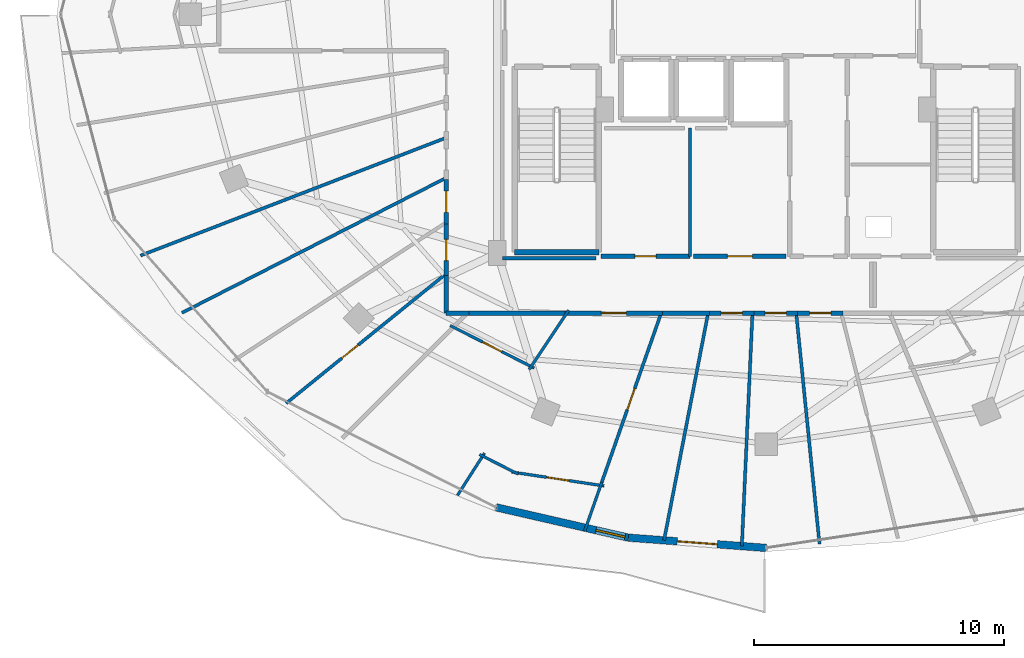
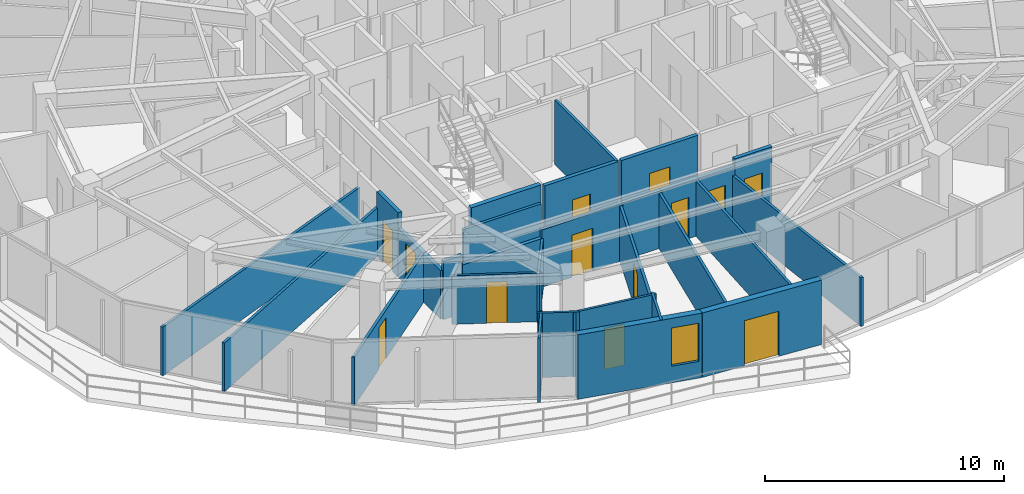
# One storey, part 24 of 33: 30 walls, 13 doors, 1 window, 14 openings.
"""IFC4 building model written with IfcOpenShell, lengths in metres."""

from ifc_helpers import new_model, si_unit, direction, frame, frame_2d, origin, place, context, subcontext, project, spatial, rectangle, extrude, material, layer, layer_set, type_object, element, fill, save


model = new_model("IFC4")

# Units and contexts
model_context = context("Model", 3, precision=1e-05, world=origin(), true_north=direction((0.0, 1.0)))
body_context = subcontext(model_context, "Body", "Model", "MODEL_VIEW")
ifc_project = project(units=[si_unit("LENGTHUNIT", "METRE"), si_unit("AREAUNIT", "SQUARE_METRE"), si_unit("VOLUMEUNIT", "CUBIC_METRE"), si_unit("PLANEANGLEUNIT", "RADIAN"), si_unit("MASSUNIT", "GRAM", prefix="KILO")], contexts=[model_context])

# Site, building, storey
site_placement = place(None, origin())
site = spatial("IfcSite", under=ifc_project, at=site_placement, CompositionType="ELEMENT")
building_placement = place(site_placement, origin())
building = spatial("IfcBuilding", under=site, at=building_placement, Name="Vorneva Point Tower", CompositionType="ELEMENT")
storey_placement = place(building_placement, frame((0.0, 0.0, 217.85009765625)))
storey = spatial("IfcBuildingStorey", under=building, at=storey_placement, Name="L59", CompositionType="ELEMENT", Elevation=217.85009765625)

# Wall, opening, window
ifc_material_1 = material(Name="Precast concrete B50 (C40/50)", Category="concrete")
ifc_layer_1 = layer(ifc_material_1, 0.300048828125)
ifc_layer_set_1 = layer_set([ifc_layer_1], Name="Precast concrete B50 (C40/50)")
wall_type_1 = type_object("IfcWallType", Name="WL-EXT-300", PredefinedType="STANDARD", material=ifc_layer_set_1)
wall_1_placement = place(storey_placement, frame((27.19677734375, 6.275146484375, 0.0), z_axis=(0.0, 0.0, 1.0), x_axis=(0.974684194578, -0.223586047954, 0.0)))
wall_1 = element("IfcWall", 1, at=wall_1_placement, inside=storey, type_object=wall_type_1, Name="L59 Pale-Metal Facade Spandrel Wall 12.1", PredefinedType="STANDARD", context=body_context, shape_type="SweptSolid", body=[
    extrude(rectangle(XDim=5.433349609375, YDim=0.300048828125, at=frame_2d((2.716796875, 0.0))), origin(), (0.0, 0.0, 1.0), 3.289794921875),
])
opening_1_placement = place(wall_1_placement, frame((4.093505859375, 0.0, 0.85009765625)))
opening_1 = element("IfcOpeningElement", 2, at=opening_1_placement, cuts=wall_1, Name="Opening W-04", PredefinedType="OPENING", context=body_context, shape_type="SweptSolid", body=[
    extrude(rectangle(XDim=1.199951171875, YDim=1.949951171875, at=frame_2d((0.60009765625, 0.97509765625))), frame((0.0, 0.1650390625, 0.0), z_axis=(0.0, -1.0, 0.0), x_axis=(1.0, 0.0, 0.0)), (0.0, 0.0, 1.0), 0.329833984375),
])
ifc_material_2 = material(Name="Double low-e laminated glass IGU", Category="glass")
window_type = type_object("IfcWindowType", Name="WN-RES-1200", PartitioningType="SINGLE_PANEL", PredefinedType="WINDOW", material=ifc_material_2)
window_placement = place(opening_1_placement, origin())
window = element("IfcWindow", 3, at=window_placement, inside=storey, type_object=window_type, Name="L59 Dwelling Vision Window 05", OverallHeight=1.949951171875, OverallWidth=1.199951171875, PartitioningType="SINGLE_PANEL", PredefinedType="WINDOW", context=body_context, shape_type="SweptSolid", body=[
    extrude(rectangle(XDim=1.199951171875, YDim=1.949951171875, at=frame_2d((0.60009765625, 0.97509765625))), frame((0.0, 0.030029296875, 0.0), z_axis=(0.0, -1.0, 0.0), x_axis=(1.0, 0.0, 0.0)), (0.0, 0.0, 1.0), 0.06005859375),
])
fill(opening_1, window)

# Wall, opening, door
wall_2_placement = place(storey_placement, frame((32.49267578125, 5.060302734375, 0.0), z_axis=(0.0, 0.0, 1.0), x_axis=(0.997234968529, -0.074312970214, 0.0)))
wall_2 = element("IfcWall", 4, at=wall_2_placement, inside=storey, type_object=wall_type_1, Name="L59 Pale-Metal Facade Spandrel Wall 12.2", PredefinedType="STANDARD", context=body_context, shape_type="SweptSolid", body=[
    extrude(rectangle(XDim=5.522705078125, YDim=0.300048828125, at=frame_2d((2.76123046875, 0.0))), origin(), (0.0, 0.0, 1.0), 3.289794921875),
])
opening_2_placement = place(wall_2_placement, frame((1.961181640625, 0.0, 0.0)))
opening_2 = element("IfcOpeningElement", 5, at=opening_2_placement, cuts=wall_2, Name="Opening BD-01", PredefinedType="OPENING", context=body_context, shape_type="SweptSolid", body=[
    extrude(rectangle(XDim=1.60009765625, YDim=2.300048828125, at=frame_2d((0.800048828125, 1.14990234375))), frame((0.0, 0.1650390625, 0.0), z_axis=(0.0, -1.0, 0.0), x_axis=(1.0, 0.0, 0.0)), (0.0, 0.0, 1.0), 0.329833984375),
])
ifc_material_3 = material(Name="Pale anodised aluminium", Category="aluminium")
door_type_1 = type_object("IfcDoorType", Name="DR-BAL-1600", OperationType="SLIDING_TO_LEFT", PredefinedType="DOOR", material=ifc_material_3)
door_1_placement = place(opening_2_placement, origin())
door_1 = element("IfcDoor", 6, at=door_1_placement, inside=storey, type_object=door_type_1, Name="L59 Balcony Terrace Access Door 12", OperationType="SLIDING_TO_LEFT", OverallHeight=2.300048828125, OverallWidth=1.60009765625, PredefinedType="DOOR", context=body_context, shape_type="SweptSolid", body=[
    extrude(rectangle(XDim=1.60009765625, YDim=2.300048828125, at=frame_2d((0.800048828125, 1.14990234375))), frame((0.0, 0.02490234375, 0.0), z_axis=(0.0, -1.0, 0.0), x_axis=(1.0, 0.0, 0.0)), (0.0, 0.0, 1.0), 0.050048828125),
])
fill(opening_2, door_1)

# Wall
ifc_material_4 = material(Name="Fire-rated acoustic gypsum stud partition", Category="gypsum")
ifc_layer_2 = layer(ifc_material_4, 0.110107421875)
ifc_layer_set_2 = layer_set([ifc_layer_2], Name="Fire-rated acoustic gypsum stud partition")
wall_type_2 = type_object("IfcWallType", Name="WL-PART-110", PredefinedType="PARTITIONING", material=ifc_layer_set_2)
wall_3_placement = place(storey_placement, frame((30.103759765625, 14.16650390625, 0.0), z_axis=(0.0, 0.0, 1.0), x_axis=(-0.555055621343, -0.831813234576, 0.0)))
element("IfcWall", 7, at=wall_3_placement, inside=storey, type_object=wall_type_2, Name="L59 Interior Partition 139", PredefinedType="PARTITIONING", context=body_context, shape_type="SweptSolid", body=[
    extrude(rectangle(XDim=2.852783203125, YDim=0.110107421875, at=frame_2d((1.42626953125, 0.0))), origin(), (0.0, 0.0, 1.0), 2.48193359375),
])

# Wall, opening, door
wall_4_placement = place(storey_placement, frame((28.722900390625, 11.8466796875, 0.0), z_axis=(0.0, 0.0, 1.0), x_axis=(-0.892449406128, 0.451147489743, 0.0)))
wall_4 = element("IfcWall", 8, at=wall_4_placement, inside=storey, type_object=wall_type_2, Name="L59 Interior Partition 140", PredefinedType="PARTITIONING", context=body_context, shape_type="SweptSolid", body=[
    extrude(rectangle(XDim=3.76904296875, YDim=0.110107421875, at=frame_2d((1.884521484375, 0.0))), origin(), (0.0, 0.0, 1.0), 2.48193359375),
])
opening_3_placement = place(wall_4_placement, frame((1.459716796875, 0.0, 0.0)))
opening_3 = element("IfcOpeningElement", 9, at=opening_3_placement, cuts=wall_4, Name="Opening ID-02", PredefinedType="OPENING", context=body_context, shape_type="SweptSolid", body=[
    extrude(rectangle(XDim=0.85009765625, YDim=2.10009765625, at=frame_2d((0.425048828125, 1.050048828125))), frame((0.0, 0.06982421875, 0.0), z_axis=(0.0, -1.0, 0.0), x_axis=(1.0, 0.0, 0.0)), (0.0, 0.0, 1.0), 0.139892578125),
])
ifc_material_5 = material(Name="Engineered oak fire-rated door leaf", Category="wood")
door_type_2 = type_object("IfcDoorType", Name="DR-BATH-850", OperationType="NOTDEFINED", PredefinedType="DOOR", material=ifc_material_5)
door_2_placement = place(opening_3_placement, origin())
door_2 = element("IfcDoor", 10, at=door_2_placement, inside=storey, type_object=door_type_2, Name="L59 Door Living and Dining Room L59-04 / Bathroom L59-04", OperationType="SINGLE_SWING_RIGHT", OverallHeight=2.10009765625, OverallWidth=0.85009765625, PredefinedType="DOOR", context=body_context, shape_type="SweptSolid", body=[
    extrude(rectangle(XDim=0.85009765625, YDim=2.10009765625, at=frame_2d((0.425048828125, 1.050048828125))), frame((0.0, 0.02490234375, 0.0), z_axis=(0.0, -1.0, 0.0), x_axis=(1.0, 0.0, 0.0)), (0.0, 0.0, 1.0), 0.050048828125),
])
fill(opening_3, door_2)

# Wall
wall_5_placement = place(storey_placement, frame((26.531982421875, 8.38720703125, 0.0), z_axis=(0.0, 0.0, 1.0), x_axis=(0.892649776719, -0.450750902521, 0.0)))
element("IfcWall", 11, at=wall_5_placement, inside=storey, type_object=wall_type_2, Name="L59 Interior Partition 141", PredefinedType="PARTITIONING", context=body_context, shape_type="SweptSolid", body=[
    extrude(rectangle(XDim=1.737548828125, YDim=0.110107421875, at=frame_2d((0.86865234375, 0.0))), origin(), (0.0, 0.0, 1.0), 3.289794921875),
])

# Wall, opening, door
wall_6_placement = place(storey_placement, frame((27.819580078125, 7.687744140625, 0.0), z_axis=(0.0, 0.0, 1.0), x_axis=(0.988870202363, -0.148780788002, 0.0)))
wall_6 = element("IfcWall", 12, at=wall_6_placement, inside=storey, type_object=wall_type_2, Name="L59 Interior Partition 142", PredefinedType="PARTITIONING", context=body_context, shape_type="SweptSolid", body=[
    extrude(rectangle(XDim=3.741455078125, YDim=0.110107421875, at=frame_2d((1.87060546875, 0.0))), origin(), (0.0, 0.0, 1.0), 3.289794921875),
])
opening_4_placement = place(wall_6_placement, frame((1.420654296875, 0.0, 0.0)))
opening_4 = element("IfcOpeningElement", 13, at=opening_4_placement, cuts=wall_6, Name="Opening ID-01", PredefinedType="OPENING", context=body_context, shape_type="SweptSolid", body=[
    extrude(rectangle(XDim=0.89990234375, YDim=2.10009765625, at=frame_2d((0.449951171875, 1.050048828125))), frame((0.0, 0.06982421875, 0.0), z_axis=(0.0, -1.0, 0.0), x_axis=(1.0, 0.0, 0.0)), (0.0, 0.0, 1.0), 0.139892578125),
])
door_type_3 = type_object("IfcDoorType", Name="DR-ROOM-900", OperationType="NOTDEFINED", PredefinedType="DOOR", material=ifc_material_5)
door_3_placement = place(opening_4_placement, origin())
door_3 = element("IfcDoor", 14, at=door_3_placement, inside=storey, type_object=door_type_3, Name="L59 Door Living and Dining Room L59-04 / Kitchen L59-04", OperationType="SINGLE_SWING_LEFT", OverallHeight=2.10009765625, OverallWidth=0.89990234375, PredefinedType="DOOR", context=body_context, shape_type="SweptSolid", body=[
    extrude(rectangle(XDim=0.89990234375, YDim=2.10009765625, at=frame_2d((0.449951171875, 1.050048828125))), frame((0.0, 0.02490234375, 0.0), z_axis=(0.0, -1.0, 0.0), x_axis=(1.0, 0.0, 0.0)), (0.0, 0.0, 1.0), 0.050048828125),
])
fill(opening_4, door_3)

# Walls
wall_7_placement = place(storey_placement, frame((25.6494140625, 6.753173828125, 0.0), z_axis=(0.0, 0.0, 1.0), x_axis=(0.539927041948, 0.841711820859, 0.0)))
element("IfcWall", 15, at=wall_7_placement, inside=storey, type_object=wall_type_2, Name="L59 Interior Partition 143", PredefinedType="PARTITIONING", context=body_context, shape_type="SweptSolid", body=[
    extrude(rectangle(XDim=2.00634765625, YDim=0.110107421875, at=frame_2d((1.003173828125, 0.0))), origin(), (0.0, 0.0, 1.0), 3.289794921875),
])
wall_8_placement = place(storey_placement, frame((30.737548828125, 5.32080078125, 0.0), z_axis=(0.0, 0.0, 1.0), x_axis=(0.33153115085, 0.943444272872, 0.0)))
element("IfcWall", 16, at=wall_8_placement, inside=storey, type_object=wall_type_2, Name="L59 Interior Partition 145", PredefinedType="PARTITIONING", context=body_context, shape_type="SweptSolid", body=[
    extrude(rectangle(XDim=2.0810546875, YDim=0.110107421875, at=frame_2d((1.04052734375, 0.0))), origin(), (0.0, 0.0, 1.0), 3.289794921875),
])
ifc_layer_3 = layer(ifc_material_4, 0.125)
ifc_layer_set_3 = layer_set([ifc_layer_3], Name="Fire-rated acoustic gypsum stud partition")
wall_type_3 = type_object("IfcWallType", Name="WL-PART-125", PredefinedType="PARTITIONING", material=ifc_layer_set_3)
wall_9_placement = place(storey_placement, frame((34.949951171875, 16.320068359375, 0.0), z_axis=(0.0, 0.0, 1.0), x_axis=(0.0, 1.0, 0.0)))
element("IfcWall", 17, at=wall_9_placement, inside=storey, type_object=wall_type_3, Name="L59 Interior Partition 031", PredefinedType="PARTITIONING", context=body_context, shape_type="SweptSolid", body=[
    extrude(rectangle(XDim=5.1298828125, YDim=0.125, at=frame_2d((2.56494140625, 0.0))), origin(), (0.0, 0.0, 1.0), 3.289794921875),
])
wall_10_placement = place(storey_placement, frame((12.968017578125, 16.347900390625, 0.0), z_axis=(0.0, 0.0, 1.0), x_axis=(0.933027024267, 0.35980629787, 0.0)))
element("IfcWall", 18, at=wall_10_placement, inside=storey, type_object=wall_type_3, Name="L59 Interior Partition 134", PredefinedType="PARTITIONING", context=body_context, shape_type="SweptSolid", body=[
    extrude(rectangle(XDim=13.10986328125, YDim=0.125, at=frame_2d((6.554931640625, 0.0))), origin(), (0.0, 0.0, 1.0), 2.48193359375),
])
wall_11_placement = place(storey_placement, frame((14.623046875, 14.055908203125, 0.0), z_axis=(0.0, 0.0, 1.0), x_axis=(0.890500200784, 0.454982848472, 0.0)))
element("IfcWall", 19, at=wall_11_placement, inside=storey, type_object=wall_type_3, Name="L59 Interior Partition 135", PredefinedType="PARTITIONING", context=body_context, shape_type="SweptSolid", body=[
    extrude(rectangle(XDim=11.87744140625, YDim=0.125, at=frame_2d((5.938720703125, 0.0))), origin(), (0.0, 0.0, 1.0), 2.48193359375),
])

# Wall, opening, door
wall_12_placement = place(storey_placement, frame((18.7958984375, 10.43701171875, 0.0), z_axis=(0.0, 0.0, 1.0), x_axis=(0.776906100203, 0.629616479666, 0.0)))
wall_12 = element("IfcWall", 20, at=wall_12_placement, inside=storey, type_object=wall_type_3, Name="L59 Interior Partition 137", PredefinedType="PARTITIONING", context=body_context, shape_type="SweptSolid", body=[
    extrude(rectangle(XDim=8.242919921875, YDim=0.125, at=frame_2d((4.12158203125, 0.0))), origin(), (0.0, 0.0, 1.0), 2.48193359375),
])
opening_5_placement = place(wall_12_placement, frame((2.8564453125, 0.0, 0.0)))
opening_5 = element("IfcOpeningElement", 21, at=opening_5_placement, cuts=wall_12, Name="Opening ID-02", PredefinedType="OPENING", context=body_context, shape_type="SweptSolid", body=[
    extrude(rectangle(XDim=0.85009765625, YDim=2.10009765625, at=frame_2d((0.425048828125, 1.050048828125))), frame((0.0, 0.077392578125, 0.0), z_axis=(0.0, -1.0, 0.0), x_axis=(1.0, 0.0, 0.0)), (0.0, 0.0, 1.0), 0.15478515625),
])
door_4_placement = place(opening_5_placement, origin())
door_4 = element("IfcDoor", 22, at=door_4_placement, inside=storey, type_object=door_type_2, Name="L59 Access Door Bedroom L59-03.6", OperationType="SINGLE_SWING_LEFT", OverallHeight=2.10009765625, OverallWidth=0.85009765625, PredefinedType="DOOR", context=body_context, shape_type="SweptSolid", body=[
    extrude(rectangle(XDim=0.85009765625, YDim=2.10009765625, at=frame_2d((0.425048828125, 1.050048828125))), frame((0.0, 0.02490234375, 0.0), z_axis=(0.0, -1.0, 0.0), x_axis=(1.0, 0.0, 0.0)), (0.0, 0.0, 1.0), 0.050048828125),
])
fill(opening_5, door_4)

wall_13_placement = place(storey_placement, frame((31.381103515625, 7.152099609375, 0.0), z_axis=(0.0, 0.0, 1.0), x_axis=(0.331275500224, 0.943534070901, 0.0)))
wall_13 = element("IfcWall", 23, at=wall_13_placement, inside=storey, type_object=wall_type_3, Name="L59 Interior Partition 144", PredefinedType="PARTITIONING", context=body_context, shape_type="SweptSolid", body=[
    extrude(rectangle(XDim=7.310791015625, YDim=0.125, at=frame_2d((3.6552734375, 0.0))), origin(), (0.0, 0.0, 1.0), 2.823974609375),
])
opening_6_placement = place(wall_13_placement, frame((3.205322265625, 0.0, 0.0)))
opening_6 = element("IfcOpeningElement", 24, at=opening_6_placement, cuts=wall_13, Name="Opening ID-01", PredefinedType="OPENING", context=body_context, shape_type="SweptSolid", body=[
    extrude(rectangle(XDim=0.89990234375, YDim=2.10009765625, at=frame_2d((0.449951171875, 1.050048828125))), frame((0.0, 0.077392578125, 0.0), z_axis=(0.0, -1.0, 0.0), x_axis=(1.0, 0.0, 0.0)), (0.0, 0.0, 1.0), 0.15478515625),
])
door_5_placement = place(opening_6_placement, origin())
door_5 = element("IfcDoor", 25, at=door_5_placement, inside=storey, type_object=door_type_3, Name="L59 Door Living and Dining Room L59-04 / Master Bedroom L59-04.1", OperationType="SINGLE_SWING_RIGHT", OverallHeight=2.10009765625, OverallWidth=0.89990234375, PredefinedType="DOOR", context=body_context, shape_type="SweptSolid", body=[
    extrude(rectangle(XDim=0.89990234375, YDim=2.10009765625, at=frame_2d((0.449951171875, 1.050048828125))), frame((0.0, 0.02490234375, 0.0), z_axis=(0.0, -1.0, 0.0), x_axis=(1.0, 0.0, 0.0)), (0.0, 0.0, 1.0), 0.050048828125),
])
fill(opening_6, door_5)

# Walls
wall_14_placement = place(storey_placement, frame((33.9169921875, 4.955078125, 0.0), z_axis=(0.0, 0.0, 1.0), x_axis=(0.190396351082, 0.981707303372, 0.0)))
element("IfcWall", 26, at=wall_14_placement, inside=storey, type_object=wall_type_3, Name="L59 Interior Partition 146", PredefinedType="PARTITIONING", context=body_context, shape_type="SweptSolid", body=[
    extrude(rectangle(XDim=9.264404296875, YDim=0.125, at=frame_2d((4.63232421875, 0.0))), origin(), (0.0, 0.0, 1.0), 2.823974609375),
])
wall_15_placement = place(storey_placement, frame((37.030029296875, 4.721923828125, 0.0), z_axis=(0.0, 0.0, 1.0), x_axis=(0.045519142468, 0.998963466634, 0.0)))
element("IfcWall", 27, at=wall_15_placement, inside=storey, type_object=wall_type_3, Name="L59 Interior Partition 147", PredefinedType="PARTITIONING", context=body_context, shape_type="SweptSolid", body=[
    extrude(rectangle(XDim=9.337890625, YDim=0.125, at=frame_2d((4.6689453125, 0.0))), origin(), (0.0, 0.0, 1.0), 2.823974609375),
])
wall_16_placement = place(storey_placement, frame((40.136962890625, 4.81005859375, 0.0), z_axis=(0.0, 0.0, 1.0), x_axis=(-0.100344404998, 0.994952762892, 0.0)))
element("IfcWall", 28, at=wall_16_placement, inside=storey, type_object=wall_type_3, Name="L59 Interior Partition 148", PredefinedType="PARTITIONING", context=body_context, shape_type="SweptSolid", body=[
    extrude(rectangle(XDim=9.286865234375, YDim=0.125, at=frame_2d((4.6435546875, 0.0))), origin(), (0.0, 0.0, 1.0), 2.48193359375),
])
ifc_layer_4 = layer(ifc_material_4, 0.139892578125)
ifc_layer_set_4 = layer_set([ifc_layer_4], Name="Fire-rated acoustic gypsum stud partition")
wall_type_4 = type_object("IfcWallType", Name="WL-PART-140", PredefinedType="PARTITIONING", material=ifc_layer_set_4)
wall_17_placement = place(storey_placement, frame((27.449951171875, 16.239990234375, 0.0), z_axis=(0.0, 0.0, 1.0), x_axis=(1.0, 0.0, 0.0)))
element("IfcWall", 29, at=wall_17_placement, inside=storey, type_object=wall_type_4, Name="L59 Interior Closure Partition 180", PredefinedType="PARTITIONING", context=body_context, shape_type="SweptSolid", body=[
    extrude(rectangle(XDim=3.7451171875, YDim=0.139892578125, at=frame_2d((1.87255859375, 0.0))), origin(), (0.0, 0.0, 1.0), 2.48193359375),
])

# Wall, opening, door
ifc_material_6 = material(Name="Autoclaved aerated concrete blockwork", Category="masonry")
ifc_layer_5 = layer(ifc_material_6, 0.179931640625)
ifc_layer_set_5 = layer_set([ifc_layer_5], Name="Autoclaved aerated concrete blockwork")
wall_type_5 = type_object("IfcWallType", Name="WL-PART-180", PredefinedType="PARTITIONING", material=ifc_layer_set_5)
wall_18_placement = place(storey_placement, frame((31.39990234375, 16.320068359375, 0.0), z_axis=(0.0, 0.0, 1.0), x_axis=(1.0, 0.0, 0.0)))
wall_18 = element("IfcWall", 30, at=wall_18_placement, inside=storey, type_object=wall_type_5, Name="L59 Interior Partition 032", PredefinedType="PARTITIONING", context=body_context, shape_type="SweptSolid", body=[
    extrude(rectangle(XDim=3.550048828125, YDim=0.179931640625, at=frame_2d((1.77490234375, 0.0))), origin(), (0.0, 0.0, 1.0), 3.289794921875),
])
opening_7_placement = place(wall_18_placement, frame((1.35009765625, 0.0, 0.0)))
opening_7 = element("IfcOpeningElement", 31, at=opening_7_placement, cuts=wall_18, Name="Opening ID-02", PredefinedType="OPENING", context=body_context, shape_type="SweptSolid", body=[
    extrude(rectangle(XDim=0.85009765625, YDim=2.10009765625, at=frame_2d((0.425048828125, 1.050048828125))), frame((0.0, 0.10498046875, 0.0), z_axis=(0.0, -1.0, 0.0), x_axis=(1.0, 0.0, 0.0)), (0.0, 0.0, 1.0), 0.209716796875),
])
door_6_placement = place(opening_7_placement, origin())
door_6 = element("IfcDoor", 32, at=door_6_placement, inside=storey, type_object=door_type_2, Name="L59 Door Luggage Store / L59 Circulation Corridor", OperationType="SINGLE_SWING_LEFT", OverallHeight=2.10009765625, OverallWidth=0.85009765625, PredefinedType="DOOR", context=body_context, shape_type="SweptSolid", body=[
    extrude(rectangle(XDim=0.85009765625, YDim=2.10009765625, at=frame_2d((0.425048828125, 1.050048828125))), frame((0.0, 0.02490234375, 0.0), z_axis=(0.0, -1.0, 0.0), x_axis=(1.0, 0.0, 0.0)), (0.0, 0.0, 1.0), 0.050048828125),
])
fill(opening_7, door_6)

wall_19_placement = place(storey_placement, frame((35.10009765625, 16.320068359375, 0.0), z_axis=(0.0, 0.0, 1.0), x_axis=(1.0, 0.0, 0.0)))
wall_19 = element("IfcWall", 33, at=wall_19_placement, inside=storey, type_object=wall_type_5, Name="L59 Interior Partition 033", PredefinedType="PARTITIONING", context=body_context, shape_type="SweptSolid", body=[
    extrude(rectangle(XDim=3.699951171875, YDim=0.179931640625, at=frame_2d((1.85009765625, 0.0))), origin(), (0.0, 0.0, 1.0), 3.289794921875),
])
opening_8_placement = place(wall_19_placement, frame((1.35009765625, 0.0, 0.0)))
opening_8 = element("IfcOpeningElement", 34, at=opening_8_placement, cuts=wall_19, Name="Opening UD-01", PredefinedType="OPENING", context=body_context, shape_type="SweptSolid", body=[
    extrude(rectangle(XDim=1.0, YDim=2.14990234375, at=frame_2d((0.5, 1.074951171875))), frame((0.0, 0.10498046875, 0.0), z_axis=(0.0, -1.0, 0.0), x_axis=(1.0, 0.0, 0.0)), (0.0, 0.0, 1.0), 0.209716796875),
])
door_type_4 = type_object("IfcDoorType", Name="DR-UNIT-1000", OperationType="NOTDEFINED", PredefinedType="DOOR", material=ifc_material_5)
door_7_placement = place(opening_8_placement, origin())
door_7 = element("IfcDoor", 35, at=door_7_placement, inside=storey, type_object=door_type_4, Name="L59 Door Staff Service Pantry / L59 Circulation Corridor", OperationType="SINGLE_SWING_RIGHT", OverallHeight=2.14990234375, OverallWidth=1.0, PredefinedType="DOOR", context=body_context, shape_type="SweptSolid", body=[
    extrude(rectangle(XDim=1.0, YDim=2.14990234375, at=frame_2d((0.5, 1.074951171875))), frame((0.0, 0.02490234375, 0.0), z_axis=(0.0, -1.0, 0.0), x_axis=(1.0, 0.0, 0.0)), (0.0, 0.0, 1.0), 0.050048828125),
])
fill(opening_8, door_7)

wall_20_placement = place(storey_placement, frame((25.199951171875, 19.39306640625, 0.0), z_axis=(0.0, 0.0, 1.0), x_axis=(0.0, -1.0, 0.0)))
wall_20 = element("IfcWall", 36, at=wall_20_placement, inside=storey, type_object=wall_type_5, Name="L59 Interior Partition 061", PredefinedType="PARTITIONING", context=body_context, shape_type="SweptSolid", body=[
    extrude(rectangle(XDim=1.791015625, YDim=0.179931640625, at=frame_2d((0.8955078125, 0.0))), origin(), (0.0, 0.0, 1.0), 3.289794921875),
])
opening_9_placement = place(wall_20_placement, frame((0.470458984375, 0.0, 0.0)))
opening_9 = element("IfcOpeningElement", 37, at=opening_9_placement, cuts=wall_20, Name="Opening ID-02", PredefinedType="OPENING", context=body_context, shape_type="SweptSolid", body=[
    extrude(rectangle(XDim=0.85009765625, YDim=2.10009765625, at=frame_2d((0.425048828125, 1.050048828125))), frame((0.0, 0.10498046875, 0.0), z_axis=(0.0, -1.0, 0.0), x_axis=(1.0, 0.0, 0.0)), (0.0, 0.0, 1.0), 0.209716796875),
])
door_8_placement = place(opening_9_placement, origin())
door_8 = element("IfcDoor", 38, at=door_8_placement, inside=storey, type_object=door_type_2, Name="L59 Access Door L59 Circulation Corridor", OperationType="SINGLE_SWING_LEFT", OverallHeight=2.10009765625, OverallWidth=0.85009765625, PredefinedType="DOOR", context=body_context, shape_type="SweptSolid", body=[
    extrude(rectangle(XDim=0.85009765625, YDim=2.10009765625, at=frame_2d((0.425048828125, 1.050048828125))), frame((0.0, 0.02490234375, 0.0), z_axis=(0.0, -1.0, 0.0), x_axis=(1.0, 0.0, 0.0)), (0.0, 0.0, 1.0), 0.050048828125),
])
fill(opening_9, door_8)

wall_21_placement = place(storey_placement, frame((25.199951171875, 17.60205078125, 0.0), z_axis=(0.0, 0.0, 1.0), x_axis=(0.0, -1.0, 0.0)))
wall_21 = element("IfcWall", 39, at=wall_21_placement, inside=storey, type_object=wall_type_5, Name="L59 Interior Partition 062", PredefinedType="PARTITIONING", context=body_context, shape_type="SweptSolid", body=[
    extrude(rectangle(XDim=2.052001953125, YDim=0.179931640625, at=frame_2d((1.02587890625, 0.0))), origin(), (0.0, 0.0, 1.0), 2.48193359375),
])
opening_10_placement = place(wall_21_placement, frame((0.60107421875, 0.0, 0.0)))
opening_10 = element("IfcOpeningElement", 40, at=opening_10_placement, cuts=wall_21, Name="Opening ID-02", PredefinedType="OPENING", context=body_context, shape_type="SweptSolid", body=[
    extrude(rectangle(XDim=0.85009765625, YDim=2.10009765625, at=frame_2d((0.425048828125, 1.050048828125))), frame((0.0, 0.10498046875, 0.0), z_axis=(0.0, -1.0, 0.0), x_axis=(1.0, 0.0, 0.0)), (0.0, 0.0, 1.0), 0.209716796875),
])
door_9_placement = place(opening_10_placement, origin())
door_9 = element("IfcDoor", 41, at=door_9_placement, inside=storey, type_object=door_type_2, Name="L59 Access Door L59 Circulation Corridor", OperationType="SINGLE_SWING_RIGHT", OverallHeight=2.10009765625, OverallWidth=0.85009765625, PredefinedType="DOOR", context=body_context, shape_type="SweptSolid", body=[
    extrude(rectangle(XDim=0.85009765625, YDim=2.10009765625, at=frame_2d((0.425048828125, 1.050048828125))), frame((0.0, 0.02490234375, 0.0), z_axis=(0.0, -1.0, 0.0), x_axis=(1.0, 0.0, 0.0)), (0.0, 0.0, 1.0), 0.050048828125),
])
fill(opening_10, door_9)

# Walls
wall_22_placement = place(storey_placement, frame((25.199951171875, 15.550048828125, 0.0), z_axis=(0.0, 0.0, 1.0), x_axis=(0.0, -1.0, 0.0)))
element("IfcWall", 42, at=wall_22_placement, inside=storey, type_object=wall_type_5, Name="L59 Interior Partition 063", PredefinedType="PARTITIONING", context=body_context, shape_type="SweptSolid", body=[
    extrude(rectangle(XDim=1.5, YDim=0.179931640625, at=frame_2d((0.75, 0.0))), origin(), (0.0, 0.0, 1.0), 2.48193359375),
])
wall_23_placement = place(storey_placement, frame((25.199951171875, 14.050048828125, 0.0), z_axis=(0.0, 0.0, 1.0), x_axis=(1.0, 0.0, 0.0)))
element("IfcWall", 43, at=wall_23_placement, inside=storey, type_object=wall_type_5, Name="L59 Interior Partition 064", PredefinedType="PARTITIONING", context=body_context, shape_type="SweptSolid", body=[
    extrude(rectangle(XDim=0.91015625, YDim=0.179931640625, at=frame_2d((0.455078125, 0.0))), origin(), (0.0, 0.0, 1.0), 2.97900390625),
])

# Wall, opening, door
wall_24_placement = place(storey_placement, frame((29.9541015625, 14.050048828125, 0.0), z_axis=(0.0, 0.0, 1.0), x_axis=(1.0, 0.0, 0.0)))
wall_24 = element("IfcWall", 44, at=wall_24_placement, inside=storey, type_object=wall_type_5, Name="L59 Interior Partition 065", PredefinedType="PARTITIONING", context=body_context, shape_type="SweptSolid", body=[
    extrude(rectangle(XDim=3.908935546875, YDim=0.179931640625, at=frame_2d((1.95458984375, 0.0))), origin(), (0.0, 0.0, 1.0), 2.923828125),
])
opening_11_placement = place(wall_24_placement, frame((1.45458984375, 0.0, 0.0)))
opening_11 = element("IfcOpeningElement", 45, at=opening_11_placement, cuts=wall_24, Name="Opening UD-01", PredefinedType="OPENING", context=body_context, shape_type="SweptSolid", body=[
    extrude(rectangle(XDim=1.0, YDim=2.14990234375, at=frame_2d((0.5, 1.074951171875))), frame((0.0, 0.10498046875, 0.0), z_axis=(0.0, -1.0, 0.0), x_axis=(1.0, 0.0, 0.0)), (0.0, 0.0, 1.0), 0.209716796875),
])
door_10_placement = place(opening_11_placement, origin())
door_10 = element("IfcDoor", 46, at=door_10_placement, inside=storey, type_object=door_type_4, Name="L59 Door L59 Circulation Corridor / Living and Dining Room L59-04", OperationType="SINGLE_SWING_RIGHT", OverallHeight=2.14990234375, OverallWidth=1.0, PredefinedType="DOOR", context=body_context, shape_type="SweptSolid", body=[
    extrude(rectangle(XDim=1.0, YDim=2.14990234375, at=frame_2d((0.5, 1.074951171875))), frame((0.0, 0.02490234375, 0.0), z_axis=(0.0, -1.0, 0.0), x_axis=(1.0, 0.0, 0.0)), (0.0, 0.0, 1.0), 0.050048828125),
])
fill(opening_11, door_10)

# Walls
wall_25_placement = place(storey_placement, frame((25.969970703125, 14.050048828125, 0.0), z_axis=(0.0, 0.0, 1.0), x_axis=(1.0, 0.0, 0.0)))
element("IfcWall", 47, at=wall_25_placement, inside=storey, type_object=wall_type_5, Name="L59 Interior Partition 066", PredefinedType="PARTITIONING", context=body_context, shape_type="SweptSolid", body=[
    extrude(rectangle(XDim=4.1240234375, YDim=0.179931640625, at=frame_2d((2.06201171875, 0.0))), origin(), (0.0, 0.0, 1.0), 2.48193359375),
])
wall_26_placement = place(storey_placement, frame((33.863037109375, 14.050048828125, 0.0), z_axis=(0.0, 0.0, 1.0), x_axis=(1.0, 0.0, 0.0)))
element("IfcWall", 48, at=wall_26_placement, inside=storey, type_object=wall_type_5, Name="L59 Interior Partition 067", PredefinedType="PARTITIONING", context=body_context, shape_type="SweptSolid", body=[
    extrude(rectangle(XDim=1.8779296875, YDim=0.179931640625, at=frame_2d((0.93896484375, 0.0))), origin(), (0.0, 0.0, 1.0), 2.923828125),
])

# Wall, opening, door
wall_27_placement = place(storey_placement, frame((35.740966796875, 14.050048828125, 0.0), z_axis=(0.0, 0.0, 1.0), x_axis=(1.0, 0.0, 0.0)))
wall_27 = element("IfcWall", 49, at=wall_27_placement, inside=storey, type_object=wall_type_5, Name="L59 Interior Partition 068", PredefinedType="PARTITIONING", context=body_context, shape_type="SweptSolid", body=[
    extrude(rectangle(XDim=1.77392578125, YDim=0.179931640625, at=frame_2d((0.886962890625, 0.0))), origin(), (0.0, 0.0, 1.0), 2.923828125),
])
opening_12_placement = place(wall_27_placement, frame((0.4619140625, 0.0, 0.0)))
opening_12 = element("IfcOpeningElement", 50, at=opening_12_placement, cuts=wall_27, Name="Opening ID-02", PredefinedType="OPENING", context=body_context, shape_type="SweptSolid", body=[
    extrude(rectangle(XDim=0.85009765625, YDim=2.10009765625, at=frame_2d((0.425048828125, 1.050048828125))), frame((0.0, 0.10498046875, 0.0), z_axis=(0.0, -1.0, 0.0), x_axis=(1.0, 0.0, 0.0)), (0.0, 0.0, 1.0), 0.209716796875),
])
door_11_placement = place(opening_12_placement, origin())
door_11 = element("IfcDoor", 51, at=door_11_placement, inside=storey, type_object=door_type_2, Name="L59 Access Door L59 Circulation Corridor", OperationType="SINGLE_SWING_LEFT", OverallHeight=2.10009765625, OverallWidth=0.85009765625, PredefinedType="DOOR", context=body_context, shape_type="SweptSolid", body=[
    extrude(rectangle(XDim=0.85009765625, YDim=2.10009765625, at=frame_2d((0.425048828125, 1.050048828125))), frame((0.0, 0.02490234375, 0.0), z_axis=(0.0, -1.0, 0.0), x_axis=(1.0, 0.0, 0.0)), (0.0, 0.0, 1.0), 0.050048828125),
])
fill(opening_12, door_11)

wall_28_placement = place(storey_placement, frame((37.514892578125, 14.050048828125, 0.0), z_axis=(0.0, 0.0, 1.0), x_axis=(1.0, 0.0, 0.0)))
wall_28 = element("IfcWall", 52, at=wall_28_placement, inside=storey, type_object=wall_type_5, Name="L59 Interior Partition 069", PredefinedType="PARTITIONING", context=body_context, shape_type="SweptSolid", body=[
    extrude(rectangle(XDim=1.75, YDim=0.179931640625, at=frame_2d((0.875, 0.0))), origin(), (0.0, 0.0, 1.0), 2.923828125),
])
opening_13_placement = place(wall_28_placement, frame((0.449951171875, 0.0, 0.0)))
opening_13 = element("IfcOpeningElement", 53, at=opening_13_placement, cuts=wall_28, Name="Opening ID-02", PredefinedType="OPENING", context=body_context, shape_type="SweptSolid", body=[
    extrude(rectangle(XDim=0.85009765625, YDim=2.10009765625, at=frame_2d((0.425048828125, 1.050048828125))), frame((0.0, 0.10498046875, 0.0), z_axis=(0.0, -1.0, 0.0), x_axis=(1.0, 0.0, 0.0)), (0.0, 0.0, 1.0), 0.209716796875),
])
door_12_placement = place(opening_13_placement, origin())
door_12 = element("IfcDoor", 54, at=door_12_placement, inside=storey, type_object=door_type_2, Name="L59 Access Door L59 Circulation Corridor", OperationType="SINGLE_SWING_RIGHT", OverallHeight=2.10009765625, OverallWidth=0.85009765625, PredefinedType="DOOR", context=body_context, shape_type="SweptSolid", body=[
    extrude(rectangle(XDim=0.85009765625, YDim=2.10009765625, at=frame_2d((0.425048828125, 1.050048828125))), frame((0.0, 0.02490234375, 0.0), z_axis=(0.0, -1.0, 0.0), x_axis=(1.0, 0.0, 0.0)), (0.0, 0.0, 1.0), 0.050048828125),
])
fill(opening_13, door_12)

wall_29_placement = place(storey_placement, frame((39.264892578125, 14.050048828125, 0.0), z_axis=(0.0, 0.0, 1.0), x_axis=(1.0, 0.0, 0.0)))
wall_29 = element("IfcWall", 55, at=wall_29_placement, inside=storey, type_object=wall_type_5, Name="L59 Interior Partition 070", PredefinedType="PARTITIONING", context=body_context, shape_type="SweptSolid", body=[
    extrude(rectangle(XDim=1.80517578125, YDim=0.179931640625, at=frame_2d((0.902587890625, 0.0))), origin(), (0.0, 0.0, 1.0), 3.289794921875),
])
opening_14_placement = place(wall_29_placement, frame((0.4775390625, 0.0, 0.0)))
opening_14 = element("IfcOpeningElement", 56, at=opening_14_placement, cuts=wall_29, Name="Opening ID-02", PredefinedType="OPENING", context=body_context, shape_type="SweptSolid", body=[
    extrude(rectangle(XDim=0.85009765625, YDim=2.10009765625, at=frame_2d((0.425048828125, 1.050048828125))), frame((0.0, 0.10498046875, 0.0), z_axis=(0.0, -1.0, 0.0), x_axis=(1.0, 0.0, 0.0)), (0.0, 0.0, 1.0), 0.209716796875),
])
door_13_placement = place(opening_14_placement, origin())
door_13 = element("IfcDoor", 57, at=door_13_placement, inside=storey, type_object=door_type_2, Name="L59 Access Door L59 Circulation Corridor", OperationType="SINGLE_SWING_LEFT", OverallHeight=2.10009765625, OverallWidth=0.85009765625, PredefinedType="DOOR", context=body_context, shape_type="SweptSolid", body=[
    extrude(rectangle(XDim=0.85009765625, YDim=2.10009765625, at=frame_2d((0.425048828125, 1.050048828125))), frame((0.0, 0.02490234375, 0.0), z_axis=(0.0, -1.0, 0.0), x_axis=(1.0, 0.0, 0.0)), (0.0, 0.0, 1.0), 0.050048828125),
])
fill(opening_14, door_13)

# Wall
ifc_material_7 = material(Name="Concrete B50 (C40/50)", Category="concrete")
ifc_layer_6 = layer(ifc_material_7, 0.219970703125)
ifc_layer_set_6 = layer_set([ifc_layer_6], Name="Concrete B50 (C40/50)")
wall_type_6 = type_object("IfcWallType", Name="WL-SHFT-220", PredefinedType="SOLIDWALL", material=ifc_layer_set_6)
wall_30_placement = place(storey_placement, frame((31.31005859375, 16.489990234375, 0.0), z_axis=(0.0, 0.0, 1.0), x_axis=(-1.0, 0.0, 0.0)))
element("IfcWall", 58, at=wall_30_placement, inside=storey, type_object=wall_type_6, Name="L59 Exit Stair ST1 Shaft Wall far", PredefinedType="SOLIDWALL", context=body_context, shape_type="SweptSolid", body=[
    extrude(rectangle(XDim=3.3701171875, YDim=0.219970703125, at=frame_2d((1.68505859375, 0.0))), origin(), (0.0, 0.0, 1.0), 3.289794921875),
])

save(model, "model.ifc")
